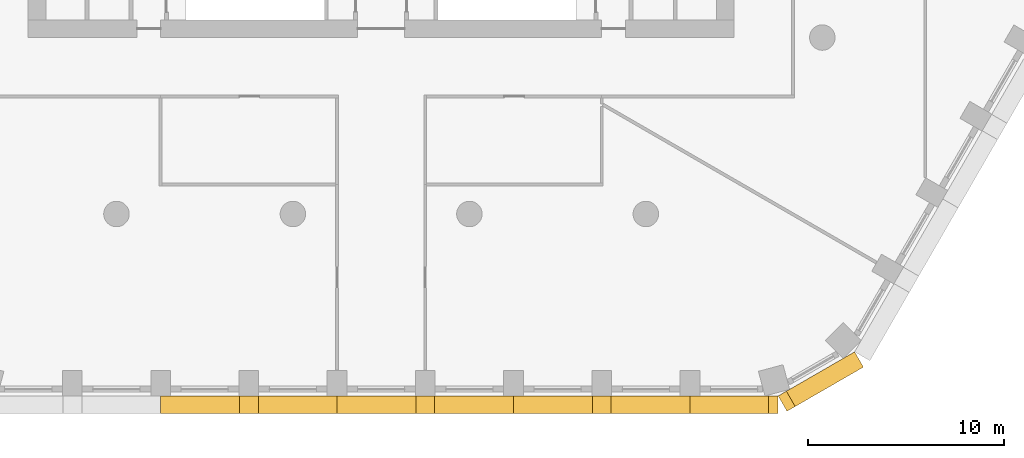
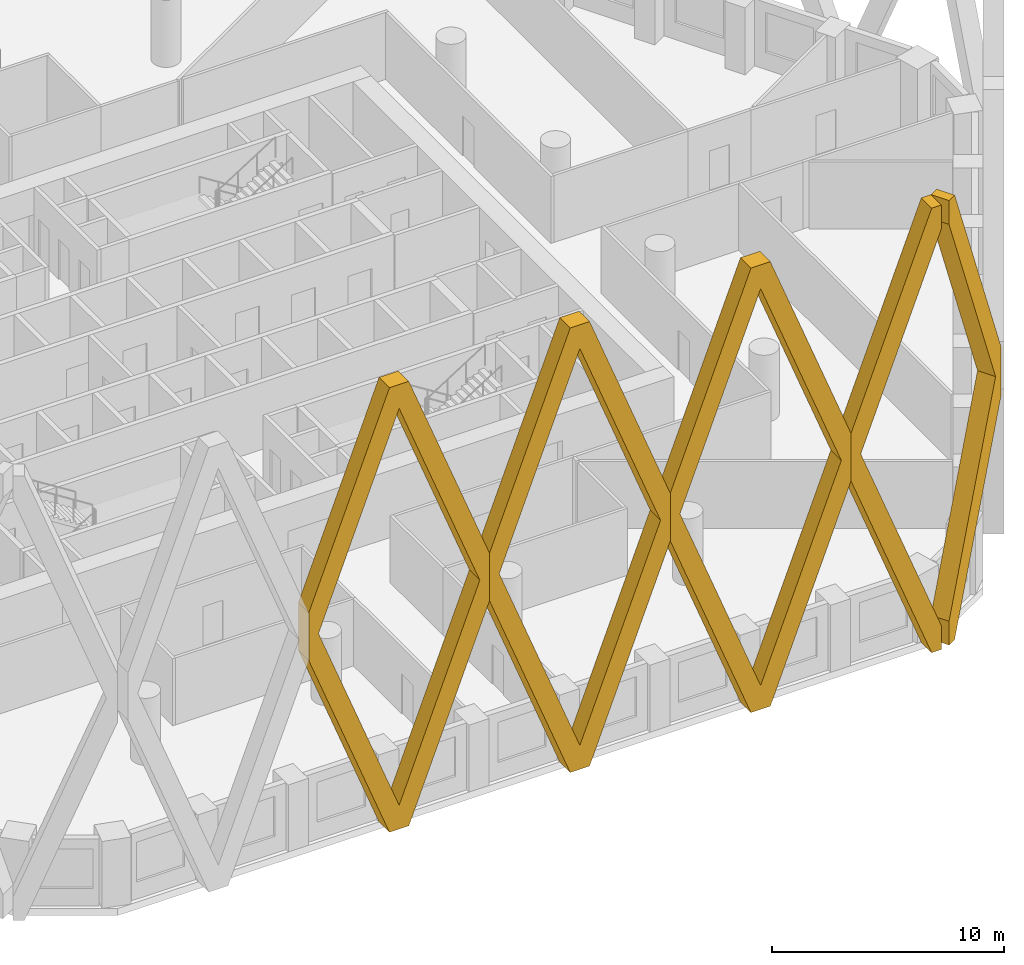
# One storey, part 12 of 18: 5 coverings.
"""IFC4 building model written with IfcOpenShell, lengths in metres."""

from ifc_helpers import new_model, si_unit, direction, frame, origin, place, context, subcontext, project, spatial, polyline, outline, extrude, material, type_object, element, save


model = new_model("IFC4")

# Units and contexts
model_context = context("Model", 3, precision=1e-05, world=origin(), true_north=direction((0.0, 1.0)))
body_context = subcontext(model_context, "Body", "Model", "MODEL_VIEW")
ifc_project = project(units=[si_unit("LENGTHUNIT", "METRE"), si_unit("AREAUNIT", "SQUARE_METRE"), si_unit("VOLUMEUNIT", "CUBIC_METRE"), si_unit("PLANEANGLEUNIT", "RADIAN"), si_unit("MASSUNIT", "GRAM", prefix="KILO")], contexts=[model_context])

# Site, building, storey
site_placement = place(None, origin())
site = spatial("IfcSite", under=ifc_project, at=site_placement, CompositionType="ELEMENT")
building_placement = place(site_placement, origin())
building = spatial("IfcBuilding", under=site, at=building_placement, Name="Dhurran Vertical Campus", CompositionType="ELEMENT")
storey_placement = place(building_placement, frame((0.0, 0.0, 104.699951171875)))
storey = spatial("IfcBuildingStorey", under=building, at=storey_placement, Name="L25", CompositionType="ELEMENT", Elevation=104.699951171875)

# Coverings
ifc_material = material(Name="Precast concrete C50/60", Category="concrete")
covering_type = type_object("IfcCoveringType", Name="Folded precast fin lattice diamond", PredefinedType="USERDEFINED", material=ifc_material)
for number, where, z_axis, x_axis, name in (
    (1, (-11.25, -31.77978515625, 0.0), (0.0, -1.0, 0.0), (1.0, 0.0, 0.0), "FN1 L25.002"),
    (2, (-2.25, -31.77978515625, 0.0), (0.0, -1.0, 0.0), (1.0, 0.0, 0.0), "FN1 L25.003"),
    (3, (6.75, -31.77978515625, 0.0), (0.0, -1.0, 0.0), (1.0, 0.0, 0.0), "FN1 L25.004"),
):
    element("IfcCovering", number, at=place(storey_placement, frame(where, z_axis=z_axis, x_axis=x_axis)), inside=storey, type_object=covering_type, Name=name, ObjectType="FIN", PredefinedType="USERDEFINED", context=body_context, shape_type="SweptSolid", body=[
        extrude(outline(polyline([(9.0, 12.95361328125), (9.0, 10.4462890625), (4.982177734375, 0.0), (4.017822265625, 0.0), (0.0, 10.4462890625), (0.0, 12.95361328125), (4.017822265625, 23.39990234375), (4.982177734375, 23.39990234375), (9.0, 12.95361328125)]), holes=[polyline([(8.517822265625, 11.699951171875), (4.5, 22.146484375), (0.482177734375, 11.699951171875), (4.5, 1.253662109375), (8.517822265625, 11.699951171875)])]), origin(), (0.0, 0.0, 1.0), 0.89990234375),
    ])
covering_1_placement = place(storey_placement, frame((15.75, -31.77978515625, 0.0), z_axis=(0.0, -1.0, 0.0), x_axis=(1.0, 0.0, 0.0)))
element("IfcCovering", 4, at=covering_1_placement, inside=storey, type_object=covering_type, Name="FN1 L25.005", ObjectType="FIN", PredefinedType="USERDEFINED", context=body_context, shape_type="SweptSolid", body=[
    extrude(outline(polyline([(4.017822265625, 0.0), (0.0, 10.4462890625), (0.0, 12.95361328125), (4.017822265625, 23.39990234375), (4.5, 23.39990234375), (4.5, 22.146484375), (0.482177734375, 11.699951171875), (4.5, 1.253662109375), (4.5, 0.0), (4.017822265625, 0.0)])), origin(), (0.0, 0.0, 1.0), 0.89990234375),
])
covering_2_placement = place(storey_placement, frame((20.25, -31.77978515625, 0.0), z_axis=(0.50001992892, -0.866013897511, 0.0), x_axis=(0.866013897511, 0.50001992892, 0.0)))
element("IfcCovering", 5, at=covering_2_placement, inside=storey, type_object=covering_type, Name="FN1 L25.006", ObjectType="FIN", PredefinedType="USERDEFINED", context=body_context, shape_type="SweptSolid", body=[
    extrude(outline(polyline([(4.5, 10.4462890625), (0.482177734375, 0.0), (0.0, 0.0), (0.0, 1.253662109375), (4.017822265625, 11.699951171875), (0.0, 22.146484375), (0.0, 23.39990234375), (0.482177734375, 23.39990234375), (4.5, 12.95361328125), (4.5, 10.4462890625)])), origin(), (0.0, 0.0, 1.0), 0.89990234375),
])

save(model, "model.ifc")
